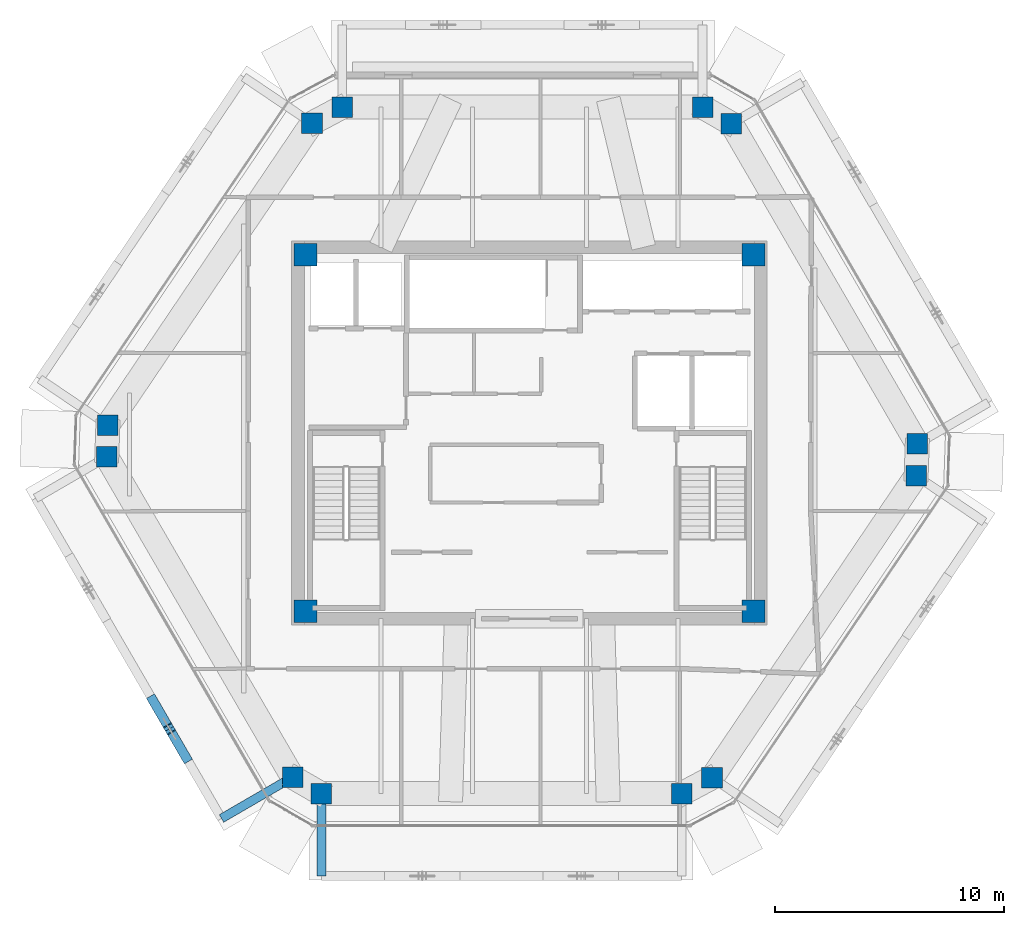
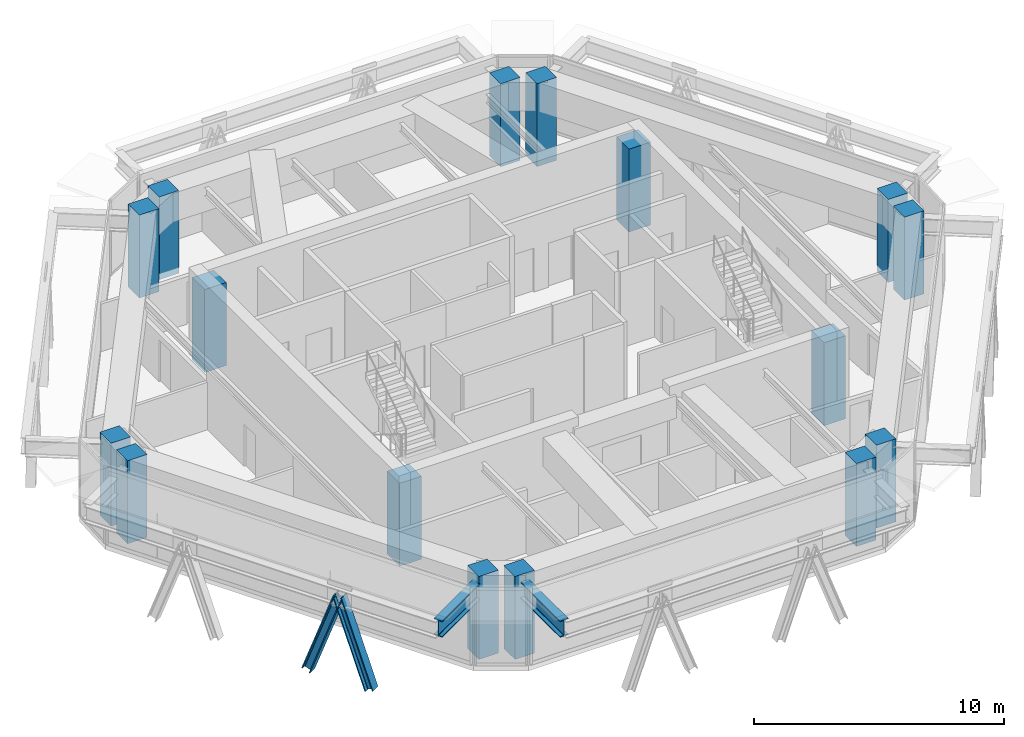
# One storey, part 1 of 13: 16 columns, 2 beams, 2 members.
"""IFC4 building model written with IfcOpenShell, lengths in metres."""

from ifc_helpers import new_model, si_unit, direction, frame, origin, origin_2d, place, context, subcontext, project, spatial, rectangle, i_section, extrude, source, transform, mapped, material, material_profile, profile_set, type_object, type_shapes, element, save


model = new_model("IFC4")

# Units and contexts
model_context = context("Model", 3, precision=1e-05, world=origin(), true_north=direction((0.0, 1.0)))
body_context = subcontext(model_context, "Body", "Model", "MODEL_VIEW")
ifc_project = project(units=[si_unit("LENGTHUNIT", "METRE"), si_unit("AREAUNIT", "SQUARE_METRE"), si_unit("VOLUMEUNIT", "CUBIC_METRE"), si_unit("PLANEANGLEUNIT", "RADIAN"), si_unit("MASSUNIT", "GRAM", prefix="KILO")], contexts=[model_context])

# Site, building, storey
site_placement = place(None, origin())
site = spatial("IfcSite", under=ifc_project, at=site_placement, CompositionType="ELEMENT")
building_placement = place(site_placement, origin())
building = spatial("IfcBuilding", under=site, at=building_placement, Name="Durnholm Broadcast Tower", CompositionType="ELEMENT")
storey_placement = place(building_placement, frame((0.0, 0.0, 268.300048828125)))
storey = spatial("IfcBuildingStorey", under=building, at=storey_placement, Name="L75", CompositionType="ELEMENT", Elevation=268.300048828125)

# Columns
ifc_material_1 = material(Name="Concrete C70/85", Category="concrete")
ifc_material_profile_1 = material_profile(ifc_material_1, rectangle(XDim=1.0, YDim=1.0, at=origin_2d()), Name="RC1000X1000")
ifc_profile_set_1 = profile_set([ifc_material_profile_1], Name="Concrete C70/85")
column_type_1 = type_object("IfcColumnType", Name="COL-CC-1000", PredefinedType="COLUMN", material=ifc_profile_set_1)
shared_shape_1 = source(origin(), body_context, "Body", "SweptSolid", [
    extrude(rectangle(XDim=1.0, YDim=1.0, at=origin_2d()), origin(), (0.0, 0.0, 1.0), 4.050048828125),
])
type_shapes(column_type_1, [shared_shape_1])
for number, where, z_axis, x_axis, name in (
    (1, (-9.800048828125, -7.800048828125, -0.300048828125), (0.0, 0.0, 1.0), (1.0, 0.0, 0.0), "L75 core corner column 1"),
    (2, (9.800048828125, -7.800048828125, -0.300048828125), (0.0, 0.0, 1.0), (1.0, 0.0, 0.0), "L75 core corner column 2"),
    (3, (9.800048828125, 7.800048828125, -0.300048828125), (0.0, 0.0, 1.0), (1.0, 0.0, 0.0), "L75 core corner column 3"),
    (4, (-9.800048828125, 7.800048828125, -0.300048828125), (0.0, 0.0, 1.0), (1.0, 0.0, 0.0), "L75 core corner column 4"),
):
    element("IfcColumn", number, at=place(storey_placement, frame(where, z_axis=z_axis, x_axis=x_axis)), inside=storey, type_object=column_type_1, Name=name, PredefinedType="COLUMN", context=body_context, shape_type="MappedRepresentation", body=[
        mapped(shared_shape_1, transform((0.0, 0.0, 0.0), x_axis=(1.0, 0.0, 0.0), y_axis=(0.0, 1.0, 0.0), z_axis=(0.0, 0.0, 1.0), scale=1.0)),
    ])
ifc_material_profile_2 = material_profile(ifc_material_1, rectangle(XDim=0.89990234375, YDim=0.89990234375, at=origin_2d()), Name="RC900X900")
ifc_profile_set_2 = profile_set([ifc_material_profile_2], Name="Concrete C70/85")
column_type_2 = type_object("IfcColumnType", Name="COL-CC-900", PredefinedType="COLUMN", material=ifc_profile_set_2)
shared_shape_2 = source(origin(), body_context, "Body", "SweptSolid", [
    extrude(rectangle(XDim=0.89990234375, YDim=0.89990234375, at=origin_2d()), origin(), (0.0, 0.0, 1.0), 4.050048828125),
])
type_shapes(column_type_2, [shared_shape_2])
for number, where, z_axis, x_axis, name in (
    (5, (-10.361328125, -15.061767578125, -0.300048828125), (0.0, 0.0, 1.0), (1.0, 0.0, 0.0), "L75 perimeter hexagonal tube column 01"),
    (6, (-18.494384765625, -1.0478515625, -0.300048828125), (0.0, 0.0, 1.0), (1.0, 0.0, 0.0), "L75 perimeter hexagonal tube column 02"),
    (7, (-18.4462890625, 0.345947265625, -0.300048828125), (0.0, 0.0, 1.0), (1.0, 0.0, 0.0), "L75 perimeter hexagonal tube column 03"),
    (8, (-9.514892578125, 13.557373046875, -0.300048828125), (0.0, 0.0, 1.0), (1.0, 0.0, 0.0), "L75 perimeter hexagonal tube column 04"),
    (9, (-8.187744140625, 14.261962890625, -0.300048828125), (0.0, 0.0, 1.0), (1.0, 0.0, 0.0), "L75 perimeter hexagonal tube column 05"),
    (10, (7.57958984375, 14.261962890625, -0.300048828125), (0.0, 0.0, 1.0), (1.0, 0.0, 0.0), "L75 perimeter hexagonal tube column 06"),
    (11, (8.83740234375, 13.53759765625, -0.300048828125), (0.0, 0.0, 1.0), (1.0, 0.0, 0.0), "L75 perimeter hexagonal tube column 07"),
    (12, (16.97021484375, -0.47607421875, -0.300048828125), (0.0, 0.0, 1.0), (1.0, 0.0, 0.0), "L75 perimeter hexagonal tube column 08"),
    (13, (16.92236328125, -1.869873046875, -0.300048828125), (0.0, 0.0, 1.0), (1.0, 0.0, 0.0), "L75 perimeter hexagonal tube column 09"),
    (14, (7.990966796875, -15.081298828125, -0.300048828125), (0.0, 0.0, 1.0), (1.0, 0.0, 0.0), "L75 perimeter hexagonal tube column 10"),
    (15, (6.663818359375, -15.785888671875, -0.300048828125), (0.0, 0.0, 1.0), (1.0, 0.0, 0.0), "L75 perimeter hexagonal tube column 11"),
    (16, (-9.103759765625, -15.785888671875, -0.300048828125), (0.0, 0.0, 1.0), (1.0, 0.0, 0.0), "L75 perimeter hexagonal tube column 12"),
):
    element("IfcColumn", number, at=place(storey_placement, frame(where, z_axis=z_axis, x_axis=x_axis)), inside=storey, type_object=column_type_2, Name=name, PredefinedType="COLUMN", context=body_context, shape_type="MappedRepresentation", body=[
        mapped(shared_shape_2, transform((0.0, 0.0, 0.0), x_axis=(1.0, 0.0, 0.0), y_axis=(0.0, 1.0, 0.0), z_axis=(0.0, 0.0, 1.0), scale=1.0)),
    ])

# Beams
ifc_material_2 = material(Name="Steel ASTM A992 Grade 50", Category="steel")
ifc_material_profile_3 = material_profile(ifc_material_2, i_section(OverallWidth=0.385009765625, OverallDepth=0.802978515625, WebThickness=0.023681640625, FlangeThickness=0.0419921875, FilletRadius=0.032958984375, at=origin_2d()), Name="W30X261")
ifc_profile_set_3 = profile_set([ifc_material_profile_3], Name="Steel ASTM A992 Grade 50")
beam_type = type_object("IfcBeamType", Name="BM-EXO-TIE", PredefinedType="USERDEFINED", material=ifc_profile_set_3)
shared_shape_3 = source(origin(), body_context, "Body", "SweptSolid", [
    extrude(i_section(OverallWidth=0.385009765625, OverallDepth=0.802978515625, WebThickness=0.023681640625, FlangeThickness=0.0419921875, FilletRadius=0.032958984375, at=origin_2d()), origin(), (0.0, 0.0, 1.0), 3.4560546875),
])
type_shapes(beam_type, [shared_shape_3])
for number, where, z_axis, x_axis, name in (
    (17, (-9.103759765625, -15.929931640625, 2.99853515625), (0.0, -1.0, 0.0), (1.0, 0.0, 0.0), "L75 exoskeleton stand-off tie bracket F1.1"),
    (18, (-10.48583984375, -15.134033203125, 2.99853515625), (-0.864924479231, -0.501902027518, 0.0), (0.501902027518, -0.864924479231, 0.0), "L75 exoskeleton stand-off tie bracket F6.2"),
):
    element("IfcBeam", number, at=place(storey_placement, frame(where, z_axis=z_axis, x_axis=x_axis)), inside=storey, type_object=beam_type, Name=name, ObjectType="GIRDER", PredefinedType="USERDEFINED", context=body_context, shape_type="MappedRepresentation", body=[
        mapped(shared_shape_3, transform((0.0, 0.0, 0.0), x_axis=(1.0, 0.0, 0.0), y_axis=(0.0, 1.0, 0.0), z_axis=(0.0, 0.0, 1.0), scale=1.0)),
    ])

# Members
ifc_material_3 = material(Name="Steel ASTM A913 Grade 65", Category="steel")
ifc_material_profile_4 = material_profile(ifc_material_3, i_section(OverallWidth=0.40625, OverallDepth=0.416015625, WebThickness=0.02978515625, FlangeThickness=0.048095703125, FilletRadius=0.030517578125, at=origin_2d()), Name="W14X257")
ifc_profile_set_4 = profile_set([ifc_material_profile_4], Name="Steel ASTM A913 Grade 65")
member_type = type_object("IfcMemberType", Name="STL-DG-W14X257", PredefinedType="BRACE", material=ifc_profile_set_4)
shared_shape_4 = source(origin(), body_context, "Body", "SweptSolid", [
    extrude(i_section(OverallWidth=0.40625, OverallDepth=0.416015625, WebThickness=0.02978515625, FlangeThickness=0.048095703125, FilletRadius=0.030517578125, at=origin_2d()), origin(), (0.0, 0.0, 1.0), 4.3046875),
])
type_shapes(member_type, [shared_shape_4])
for number, where, z_axis, x_axis, name in (
    (19, (-16.484130859375, -11.68359375, -1.051513671875), (0.170036393891, -0.292998002281, 0.940871827303), (0.864906184135, 0.501933554014, 0.0), "L75 stand-off diagrid brace F6.D2.1"),
    (20, (-15.020263671875, -14.2060546875, -1.051513671875), (-0.170036393891, 0.292998002281, 0.940871827303), (-0.864906184135, -0.501933554014, 0.0), "L75 stand-off diagrid brace F6.D2.2"),
):
    element("IfcMember", number, at=place(storey_placement, frame(where, z_axis=z_axis, x_axis=x_axis)), inside=storey, type_object=member_type, Name=name, PredefinedType="BRACE", context=body_context, shape_type="MappedRepresentation", body=[
        mapped(shared_shape_4, transform((0.0, 0.0, 0.0), x_axis=(1.0, 0.0, 0.0), y_axis=(0.0, 1.0, 0.0), z_axis=(0.0, 0.0, 1.0), scale=1.0)),
    ])

save(model, "model.ifc")
